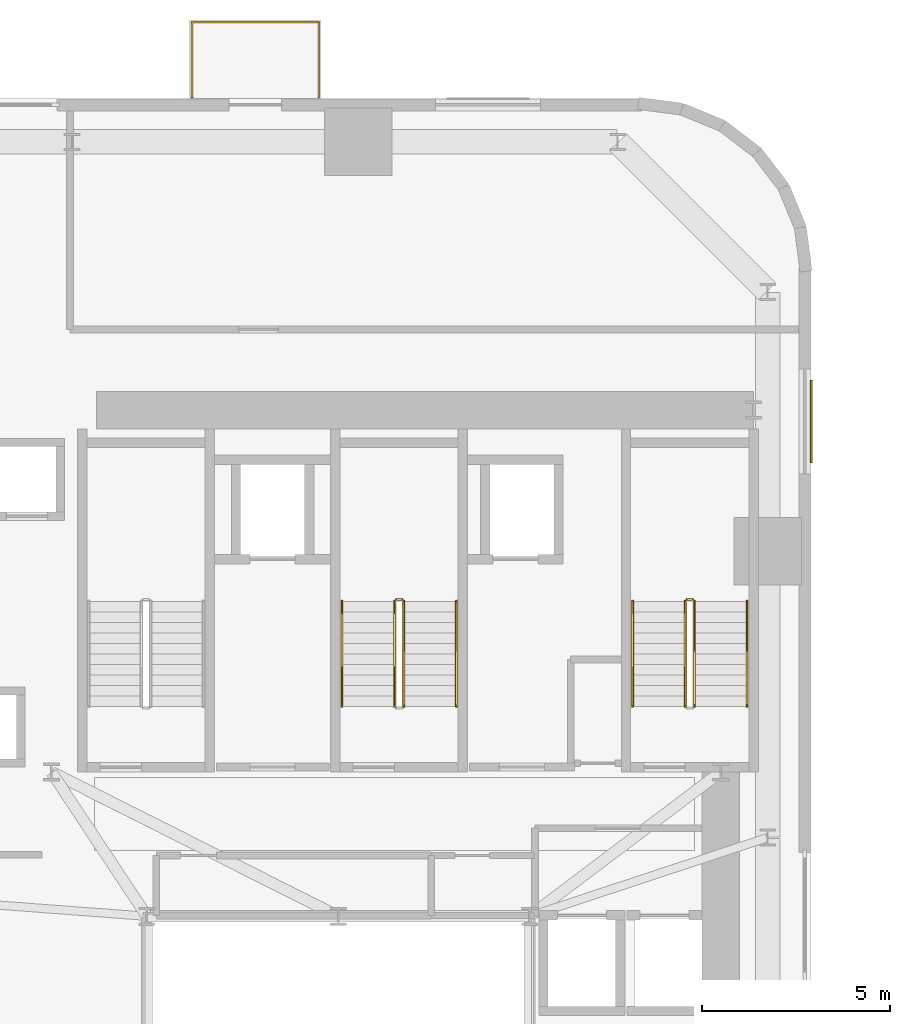
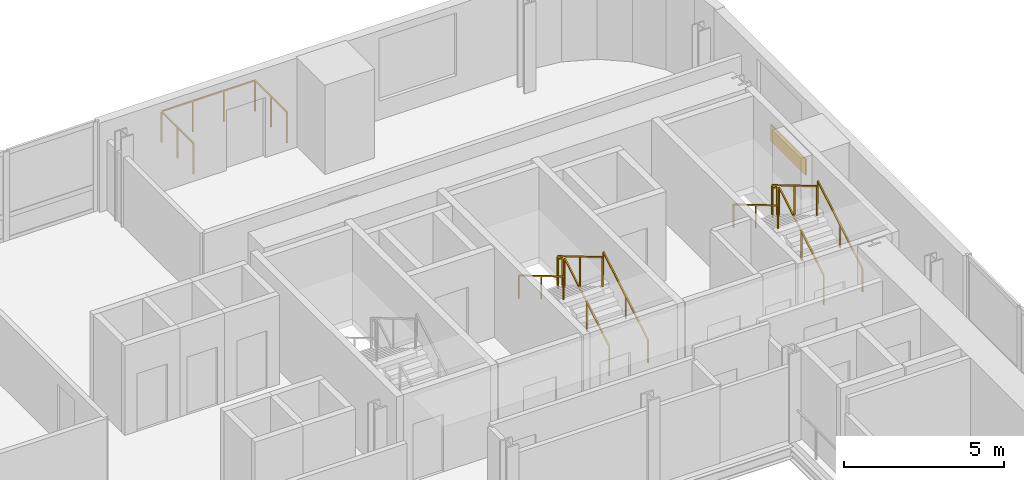
# One storey, part 13 of 13: 11 railings, 1 covering.
"""IFC4 building model written with IfcOpenShell, lengths in metres."""

import ifcopenshell
import ifcopenshell.guid

model = None  # the IFC model being written
_history = None  # IfcOwnerHistory: only IFC2X3 demands one
_inside = {}  # id of a spatial element -> (the spatial element, [elements in it])
_under = {}  # id of a project, library or spatial element -> (it, [spatial elements below it])
_declared = {}  # id of a project -> (the project, [libraries it declares])
_typed = {}  # id of a type object -> (the type object, [elements of that type])
_made_of = {}  # id of a material, layer set ... -> (it, [elements and type objects made of it])


def new_model(schema):
    """Start an empty IFC model of exactly this schema.

    Asked for "IFC4X3", IfcOpenShell would pick the latest addendum, in which some entities
    have other attributes; the version numbers below select the first issue.
    IFC2X3 requires an IfcOwnerHistory on every rooted entity: one is made here for all.
    """
    global model, _history
    if schema == "IFC4X3":
        model = ifcopenshell.file(schema_version=(4, 3, 0, 0))
    else:
        model = ifcopenshell.file(schema=schema)
    _inside.clear()
    _under.clear()
    _declared.clear()
    _typed.clear()
    _made_of.clear()
    _history = None
    if model.schema == "IFC2X3":
        org = make("IfcOrganization", Name="unknown")
        user = make(
            "IfcPersonAndOrganization",
            ThePerson=make("IfcPerson", FamilyName="unknown"),
            TheOrganization=org,
        )
        app = make(
            "IfcApplication",
            ApplicationDeveloper=org,
            Version="unknown",
            ApplicationFullName="unknown",
            ApplicationIdentifier="unknown",
        )
        _history = make(
            "IfcOwnerHistory",
            OwningUser=user,
            OwningApplication=app,
            ChangeAction="ADDED",
            CreationDate=0,
        )
    return model


def make(cls, **values):
    """One entity of the class cls with the attributes given. An attribute that is None is left unset."""
    return model.create_entity(
        cls, **{name: value for name, value in values.items() if value is not None}
    )


def rooted(cls, **values):
    """An entity with a GlobalId (a new one), such as an element, a storey or a relation."""
    return make(cls, GlobalId=ifcopenshell.guid.new(), OwnerHistory=_history, **values)


def si_unit(unit_type, name, prefix=None):
    """IfcSIUnit, for example si_unit("LENGTHUNIT", "METRE", prefix="MILLI")."""
    return make("IfcSIUnit", UnitType=unit_type, Prefix=prefix, Name=name)


def assignment(units):
    """IfcUnitAssignment: the units of a project."""
    return None if units is None else make("IfcUnitAssignment", Units=units)


def point(xyz):
    """IfcCartesianPoint."""
    return None if xyz is None else make("IfcCartesianPoint", Coordinates=xyz)


def direction(xyz):
    """IfcDirection."""
    return None if xyz is None else make("IfcDirection", DirectionRatios=xyz)


def frame(location, z_axis=None, x_axis=None):
    """IfcAxis2Placement3D, a coordinate frame: its origin and axes. An axis left out is left unset."""
    return make(
        "IfcAxis2Placement3D",
        Location=point(location),
        Axis=direction(z_axis),
        RefDirection=direction(x_axis),
    )


def frame_2d(location, x_axis=None):
    """IfcAxis2Placement2D, a coordinate frame in the plane: its origin and x axis."""
    return make(
        "IfcAxis2Placement2D", Location=point(location), RefDirection=direction(x_axis)
    )


def origin():
    """The frame at (0, 0, 0) with its axes left unset."""
    return frame((0.0, 0.0, 0.0))


def origin_2d():
    """The frame at (0, 0) in the plane with its x axis left unset."""
    return frame_2d((0.0, 0.0))


def place(relative_to, where):
    """IfcLocalPlacement: puts the frame where relative to a parent placement (None: the world)."""
    return make(
        "IfcLocalPlacement", PlacementRelTo=relative_to, RelativePlacement=where
    )


def context(
    kind, dimensions, precision=None, world=None, true_north=None, identifier=None
):
    """IfcGeometricRepresentationContext, for example the 3D "Model" context."""
    return make(
        "IfcGeometricRepresentationContext",
        ContextIdentifier=identifier,
        ContextType=kind,
        CoordinateSpaceDimension=dimensions,
        Precision=precision,
        WorldCoordinateSystem=world,
        TrueNorth=true_north,
    )


def subcontext(parent, identifier, kind, view, scale=None):
    """IfcGeometricRepresentationSubContext, for example "Body" below "Model"."""
    return make(
        "IfcGeometricRepresentationSubContext",
        ContextIdentifier=identifier,
        ContextType=kind,
        ParentContext=parent,
        TargetScale=scale,
        TargetView=view,
    )


def project(units=None, contexts=None):
    """IfcProject with its units and contexts."""
    return rooted(
        "IfcProject",
        Name="project",
        RepresentationContexts=contexts,
        UnitsInContext=assignment(units),
    )


def spatial(cls, under=None, at=None, **own):
    """A site, building, storey or space (cls), placed at a placement, below another one or the project."""
    s = rooted(cls, ObjectPlacement=at, **own)
    if under is not None:
        _under.setdefault(under.id(), (under, []))[1].append(s)
    return s


def profile(cls, at=None, kind="AREA", **sizes):
    """A parametric profile (cls). Its sizes go by their IFC names, for example OverallWidth=200.0."""
    return make(cls, ProfileType=kind, Position=at, **sizes)


def rectangle(**sizes):
    """IfcRectangleProfileDef."""
    return profile("IfcRectangleProfileDef", **sizes)


def extrude(swept, where, along, depth):
    """IfcExtrudedAreaSolid: the profile swept, set in the frame where, extruded along a direction by depth."""
    return make(
        "IfcExtrudedAreaSolid",
        SweptArea=swept,
        Position=where,
        ExtrudedDirection=direction(along),
        Depth=depth,
    )


def shape(context_of_items, identifier, shape_type, items):
    """IfcShapeRepresentation: the items that make up one representation, for example the "Body"."""
    return make(
        "IfcShapeRepresentation",
        ContextOfItems=context_of_items,
        RepresentationIdentifier=identifier,
        RepresentationType=shape_type,
        Items=items,
    )


def source(mapping_origin, context_of_items, identifier, shape_type, items):
    """IfcRepresentationMap: a shape defined once, which mapped items show again and again."""
    return make(
        "IfcRepresentationMap",
        MappingOrigin=mapping_origin,
        MappedRepresentation=shape(context_of_items, identifier, shape_type, items),
    )


def transform(
    local_origin,
    x_axis=None,
    y_axis=None,
    z_axis=None,
    scale=None,
    scale2=None,
    scale3=None,
    uniform=True,
):
    """IfcCartesianTransformationOperator3D, or its non-uniform kind. x_axis, y_axis, z_axis: its Axis1, 2, 3."""
    if uniform:
        return make(
            "IfcCartesianTransformationOperator3D",
            Axis1=direction(x_axis),
            Axis2=direction(y_axis),
            LocalOrigin=point(local_origin),
            Scale=scale,
            Axis3=direction(z_axis),
        )
    return make(
        "IfcCartesianTransformationOperator3DnonUniform",
        Axis1=direction(x_axis),
        Axis2=direction(y_axis),
        LocalOrigin=point(local_origin),
        Scale=scale,
        Axis3=direction(z_axis),
        Scale2=scale2,
        Scale3=scale3,
    )


def mapped(mapping_source, mapping_target):
    """IfcMappedItem: shows the shape of a source again, moved by a transform."""
    return make(
        "IfcMappedItem", MappingSource=mapping_source, MappingTarget=mapping_target
    )


def material(Name=None, Category=None):
    """IfcMaterial."""
    return make("IfcMaterial", Name=Name, Category=Category)


def layer(
    of_material, thickness, ventilated=None, Name=None, Category=None, Priority=None
):
    """IfcMaterialLayer: one layer of a wall or slab, of a material (None: an air gap)."""
    return make(
        "IfcMaterialLayer",
        Material=of_material,
        LayerThickness=thickness,
        IsVentilated=ventilated,
        Name=Name,
        Category=Category,
        Priority=Priority,
    )


def layer_set(layers, Name=None):
    """IfcMaterialLayerSet."""
    return make("IfcMaterialLayerSet", MaterialLayers=layers, LayerSetName=Name)


def made_of(thing, what):
    """Note that an element or type object is made of a material, layer set ...; save() writes the relation."""
    if what is not None:
        _made_of.setdefault(what.id(), (what, []))[1].append(thing)
    return thing


def type_object(cls, material=None, **own):
    """A type object (cls), such as IfcWallType, which elements share."""
    return made_of(rooted(cls, **own), material)


def element(
    cls,
    number,
    at=None,
    inside=None,
    cuts=None,
    type_object=None,
    material=None,
    context=None,
    identifier="Body",
    shape_type=None,
    held_by="IfcProductDefinitionShape",
    body=None,
    shapes=None,
    **own,
):
    """One element of the class cls, such as IfcWall. Its Tag is "e" and its number.

    at: its placement. inside: the storey or other place that contains it. cuts: it is an
    opening in that element (IfcRelVoidsElement). A single representation is given by context,
    identifier, shape_type and body (its items); several are given by shapes. held_by: the class
    of the entity that holds the representations. save() writes the other relations.
    """
    e = rooted(cls, Tag="e%d" % number, ObjectPlacement=at, **own)
    if body is not None:
        shapes = [shape(context, identifier, shape_type, body)]
    if shapes is not None:
        e.Representation = make(held_by, Representations=shapes)
    if inside is not None:
        _inside.setdefault(inside.id(), (inside, []))[1].append(e)
    if cuts is not None:
        rooted(
            "IfcRelVoidsElement", RelatingBuildingElement=cuts, RelatedOpeningElement=e
        )
    if type_object is not None:
        _typed.setdefault(type_object.id(), (type_object, []))[1].append(e)
    return made_of(e, material)


def aggregate(whole, parts):
    """IfcRelAggregates: a whole, such as a stair, and the parts it consists of."""
    return rooted("IfcRelAggregates", RelatingObject=whole, RelatedObjects=parts)


def save(model, path):
    """Write the relations noted so far, then the file.

    IfcRelAggregates (storeys below a building ...), IfcRelContainedInSpatialStructure (elements
    in a storey), IfcRelDefinesByType, IfcRelAssociatesMaterial and IfcRelDeclares: one each for
    every whole, place, type object, material and project.
    """
    for whole, parts in _under.values():
        aggregate(whole, parts)
    for where, things in _inside.values():
        rooted(
            "IfcRelContainedInSpatialStructure",
            RelatedElements=things,
            RelatingStructure=where,
        )
    for kind, things in _typed.values():
        rooted("IfcRelDefinesByType", RelatedObjects=things, RelatingType=kind)
    for what, things in _made_of.values():
        rooted("IfcRelAssociatesMaterial", RelatedObjects=things, RelatingMaterial=what)
    for by, libraries in _declared.values():
        rooted("IfcRelDeclares", RelatingContext=by, RelatedDefinitions=libraries)
    model.write(path)


model = new_model("IFC4")

# Units and contexts
model_context = context("Model", 3, precision=1e-05, world=origin(), true_north=direction((0.0, 1.0)))
body_context = subcontext(model_context, "Body", "Model", "MODEL_VIEW")
ifc_project = project(units=[si_unit("LENGTHUNIT", "METRE"), si_unit("AREAUNIT", "SQUARE_METRE"), si_unit("VOLUMEUNIT", "CUBIC_METRE"), si_unit("PLANEANGLEUNIT", "RADIAN"), si_unit("MASSUNIT", "GRAM", prefix="KILO")], contexts=[model_context])

# Site, building, storey
site_placement = place(None, origin())
site = spatial("IfcSite", under=ifc_project, at=site_placement, CompositionType="ELEMENT")
building_placement = place(site_placement, origin())
building = spatial("IfcBuilding", under=site, at=building_placement, Name="Vardaveli Station Tower", CompositionType="ELEMENT")
storey_placement = place(building_placement, frame((0.0, 0.0, 71.39990234375)))
storey = spatial("IfcBuildingStorey", under=building, at=storey_placement, Name="L18", CompositionType="ELEMENT", Elevation=71.39990234375)

# Covering
ifc_material_1 = material(Name="Ventilated honed travertine stone cladding", Category="masonry")
ifc_layer = layer(ifc_material_1, 0.044921875, Name="Ventilated honed travertine stone cladding")
ifc_layer_set = layer_set([ifc_layer], Name="Ventilated honed travertine stone cladding")
covering_type = type_object("IfcCoveringType", Name="COV-CLAD-TR45", PredefinedType="CLADDING", material=ifc_layer_set)
shared_shape_1 = source(origin(), body_context, "Body", "SweptSolid", [
    extrude(rectangle(XDim=2.199951171875, YDim=0.044921875, at=origin_2d()), origin(), (0.0, 0.0, 1.0), 0.6201171875),
])
covering_placement = place(storey_placement, frame((48.91455078125, 39.9951171875, 0.070068359375), z_axis=(0.0, 0.0, 1.0), x_axis=(0.0, 1.0, 0.0)))
element("IfcCovering", 1, at=covering_placement, inside=storey, type_object=covering_type, Name="CLD-TR-L18-E", PredefinedType="CLADDING", context=body_context, shape_type="MappedRepresentation", body=[
    mapped(shared_shape_1, transform((0.0, 0.0, 0.0), scale=1.0)),
])

# Railings
ifc_material_2 = material(Name="Laminated glass and stainless steel balustrade", Category="steel")
railing_type_1 = type_object("IfcRailingType", Name="RL-BAL-1200", PredefinedType="BALUSTRADE", material=ifc_material_2)
shared_shape_2 = source(origin(), body_context, "Body", "SweptSolid", [
    extrude(rectangle(XDim=0.048095703125, YDim=0.048095703125, at=origin_2d()), frame((0.0, 0.0, 1.17578125), z_axis=(0.0, 1.0, 0.0), x_axis=(-1.0, 0.0, 0.0)), (0.0, 0.0, 1.0), 2.0),
    extrude(rectangle(XDim=0.048095703125, YDim=0.048095703125, at=origin_2d()), frame((0.0, 2.0, 1.17578125), z_axis=(1.0, 0.0, 0.0), x_axis=(0.0, 1.0, 0.0)), (0.0, 0.0, 1.0), 3.3798828125),
    extrude(rectangle(XDim=0.048095703125, YDim=0.048095703125, at=origin_2d()), frame((3.3798828125, 2.0, 1.17578125), z_axis=(0.0, -1.0, 0.0), x_axis=(1.0, 0.0, 0.0)), (0.0, 0.0, 1.0), 2.0),
    extrude(rectangle(XDim=0.0419921875, YDim=0.0419921875, at=origin_2d()), origin(), (0.0, 0.0, 1.0), 1.15185546875),
    extrude(rectangle(XDim=0.0419921875, YDim=0.0419921875, at=origin_2d()), frame((0.0, 1.0, 0.0)), (0.0, 0.0, 1.0), 1.15185546875),
    extrude(rectangle(XDim=0.0419921875, YDim=0.0419921875, at=origin_2d()), frame((0.0, 2.0, 0.0)), (0.0, 0.0, 1.0), 1.15185546875),
    extrude(rectangle(XDim=0.0419921875, YDim=0.0419921875, at=origin_2d()), frame((1.126708984375, 2.0, 0.0)), (0.0, 0.0, 1.0), 1.15185546875),
    extrude(rectangle(XDim=0.0419921875, YDim=0.0419921875, at=origin_2d()), frame((2.253173828125, 2.0, 0.0)), (0.0, 0.0, 1.0), 1.15185546875),
    extrude(rectangle(XDim=0.0419921875, YDim=0.0419921875, at=origin_2d()), frame((3.3798828125, 2.0, 0.0)), (0.0, 0.0, 1.0), 1.15185546875),
    extrude(rectangle(XDim=0.0419921875, YDim=0.0419921875, at=origin_2d()), frame((3.3798828125, 1.0, 0.0)), (0.0, 0.0, 1.0), 1.15185546875),
    extrude(rectangle(XDim=0.0419921875, YDim=0.0419921875, at=origin_2d()), frame((3.3798828125, 0.0, 0.0)), (0.0, 0.0, 1.0), 1.15185546875),
])
railing_placement = place(storey_placement, frame((32.399658203125, 48.639892578125, 0.0)))
element("IfcRailing", 2, at=railing_placement, inside=storey, type_object=railing_type_1, Name="RL-LOG-L18-02", PredefinedType="BALUSTRADE", context=body_context, shape_type="MappedRepresentation", body=[
    mapped(shared_shape_2, transform((0.0, 0.0, 0.0), scale=1.0)),
])
ifc_material_3 = material(Name="Brushed AISI 316 stainless steel", Category="steel")
railing_type_2 = type_object("IfcRailingType", Name="RL-GUARD-1150", PredefinedType="GUARDRAIL", material=ifc_material_3)
shared_shape_3 = source(origin(), body_context, "Body", "SweptSolid", [
    extrude(rectangle(XDim=0.048095703125, YDim=0.048095703125, at=origin_2d()), frame((0.0, 0.0, 1.1259765625), z_axis=(-1.0, 0.0, 0.0), x_axis=(0.0, -1.0, 0.0)), (0.0, 0.0, 1.0), 0.14990234375),
    extrude(rectangle(XDim=0.0419921875, YDim=0.0419921875, at=origin_2d()), origin(), (0.0, 0.0, 1.0), 1.101806640625),
    extrude(rectangle(XDim=0.0419921875, YDim=0.0419921875, at=origin_2d()), frame((-0.14990234375, 0.0, 0.0)), (0.0, 0.0, 1.0), 1.101806640625),
])
for number, where, name in (
    (3, (38.0, 35.25, 1.8251953125), "L18 ST-2 stair guard 2"),
    (4, (45.75, 35.25, 1.8251953125), "L18 ST-3 stair guard 2"),
):
    element("IfcRailing", number, at=place(storey_placement, frame(where)), inside=storey, type_object=railing_type_2, Name=name, PredefinedType="GUARDRAIL", context=body_context, shape_type="MappedRepresentation", body=[
        mapped(shared_shape_3, transform((0.0, 0.0, 0.0), scale=1.0)),
    ])
shared_shape_4 = source(origin(), body_context, "Body", "SweptSolid", [
    extrude(rectangle(XDim=0.048095703125, YDim=0.048095703125, at=origin_2d()), frame((0.0, 0.0, 1.1259765625), z_axis=(0.0, 0.860306154799, 0.50977771628), x_axis=(-1.0, 0.0, 0.0)), (0.0, 0.0, 1.0), 3.254638671875),
    extrude(rectangle(XDim=0.0419921875, YDim=0.0419921875, at=origin_2d()), origin(), (0.0, 0.0, 1.0), 1.101806640625),
    extrude(rectangle(XDim=0.0419921875, YDim=0.0419921875, at=origin_2d()), frame((0.0, 1.39990234375, 0.82958984375)), (0.0, 0.0, 1.0), 1.101806640625),
    extrude(rectangle(XDim=0.0419921875, YDim=0.0419921875, at=origin_2d()), frame((0.0, 2.800048828125, 1.6591796875)), (0.0, 0.0, 1.0), 1.101806640625),
])
for number, where, name in (
    (5, (38.050048828125, 32.39990234375, 0.166015625), "L18 ST-2 stair guard 1"),
    (6, (45.800048828125, 32.39990234375, 0.166015625), "L18 ST-3 stair guard 1"),
):
    element("IfcRailing", number, at=place(storey_placement, frame(where)), inside=storey, type_object=railing_type_2, Name=name, PredefinedType="GUARDRAIL", context=body_context, shape_type="MappedRepresentation", body=[
        mapped(shared_shape_4, transform((0.0, 0.0, 0.0), scale=1.0)),
    ])
shared_shape_5 = source(origin(), body_context, "Body", "SweptSolid", [
    extrude(rectangle(XDim=0.048095703125, YDim=0.048095703125, at=origin_2d()), frame((0.0, 0.0, 1.1259765625), z_axis=(0.0, -0.860306154799, 0.50977771628), x_axis=(1.0, 0.0, 0.0)), (0.0, 0.0, 1.0), 3.254638671875),
    extrude(rectangle(XDim=0.0419921875, YDim=0.0419921875, at=origin_2d()), origin(), (0.0, 0.0, 1.0), 1.101806640625),
    extrude(rectangle(XDim=0.0419921875, YDim=0.0419921875, at=origin_2d()), frame((0.0, -1.39990234375, 0.82958984375)), (0.0, 0.0, 1.0), 1.101806640625),
    extrude(rectangle(XDim=0.0419921875, YDim=0.0419921875, at=origin_2d()), frame((0.0, -2.800048828125, 1.6591796875)), (0.0, 0.0, 1.0), 1.101806640625),
])
for number, where, name in (
    (7, (37.800048828125, 35.199951171875, 1.990966796875), "L18 ST-2 stair guard 3"),
    (8, (45.550048828125, 35.199951171875, 1.990966796875), "L18 ST-3 stair guard 3"),
):
    element("IfcRailing", number, at=place(storey_placement, frame(where)), inside=storey, type_object=railing_type_2, Name=name, PredefinedType="GUARDRAIL", context=body_context, shape_type="MappedRepresentation", body=[
        mapped(shared_shape_5, transform((0.0, 0.0, 0.0), scale=1.0)),
    ])
railing_type_3 = type_object("IfcRailingType", Name="RL-HAND-900", PredefinedType="HANDRAIL", material=ifc_material_3)
shared_shape_6 = source(origin(), body_context, "Body", "SweptSolid", [
    extrude(rectangle(XDim=0.048095703125, YDim=0.048095703125, at=origin_2d()), frame((0.0, 0.0, 0.8759765625), z_axis=(0.0, 0.860306154799, 0.50977771628), x_axis=(-1.0, 0.0, 0.0)), (0.0, 0.0, 1.0), 3.254638671875),
    extrude(rectangle(XDim=0.0419921875, YDim=0.0419921875, at=origin_2d()), origin(), (0.0, 0.0, 1.0), 0.851806640625),
    extrude(rectangle(XDim=0.0419921875, YDim=0.0419921875, at=origin_2d()), frame((0.0, 1.39990234375, 0.82958984375)), (0.0, 0.0, 1.0), 0.851806640625),
    extrude(rectangle(XDim=0.0419921875, YDim=0.0419921875, at=origin_2d()), frame((0.0, 2.800048828125, 1.6591796875)), (0.0, 0.0, 1.0), 0.851806640625),
])
for number, where, name in (
    (9, (39.449951171875, 32.39990234375, 0.166015625), "L18 ST-2 stair handrail 1"),
    (10, (47.199951171875, 32.39990234375, 0.166015625), "L18 ST-3 stair handrail 1"),
):
    element("IfcRailing", number, at=place(storey_placement, frame(where)), inside=storey, type_object=railing_type_3, Name=name, PredefinedType="HANDRAIL", context=body_context, shape_type="MappedRepresentation", body=[
        mapped(shared_shape_6, transform((0.0, 0.0, 0.0), scale=1.0)),
    ])
shared_shape_7 = source(origin(), body_context, "Body", "SweptSolid", [
    extrude(rectangle(XDim=0.048095703125, YDim=0.048095703125, at=origin_2d()), frame((0.0, 0.0, 0.8759765625), z_axis=(0.0, -0.860306154799, 0.50977771628), x_axis=(1.0, 0.0, 0.0)), (0.0, 0.0, 1.0), 3.254638671875),
    extrude(rectangle(XDim=0.0419921875, YDim=0.0419921875, at=origin_2d()), origin(), (0.0, 0.0, 1.0), 0.851806640625),
    extrude(rectangle(XDim=0.0419921875, YDim=0.0419921875, at=origin_2d()), frame((0.0, -1.39990234375, 0.82958984375)), (0.0, 0.0, 1.0), 0.851806640625),
    extrude(rectangle(XDim=0.0419921875, YDim=0.0419921875, at=origin_2d()), frame((0.0, -2.800048828125, 1.6591796875)), (0.0, 0.0, 1.0), 0.851806640625),
])
for number, where, name in (
    (11, (36.39990234375, 35.199951171875, 1.990966796875), "L18 ST-2 stair handrail 2"),
    (12, (44.14990234375, 35.199951171875, 1.990966796875), "L18 ST-3 stair handrail 2"),
):
    element("IfcRailing", number, at=place(storey_placement, frame(where)), inside=storey, type_object=railing_type_3, Name=name, PredefinedType="HANDRAIL", context=body_context, shape_type="MappedRepresentation", body=[
        mapped(shared_shape_7, transform((0.0, 0.0, 0.0), scale=1.0)),
    ])

save(model, "model.ifc")
